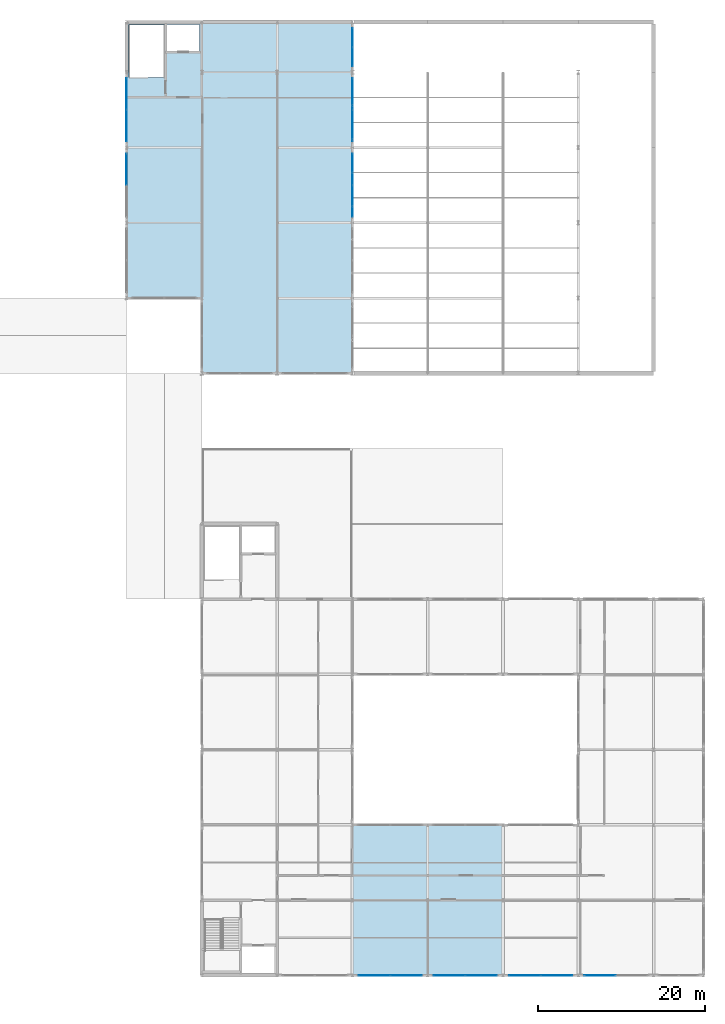
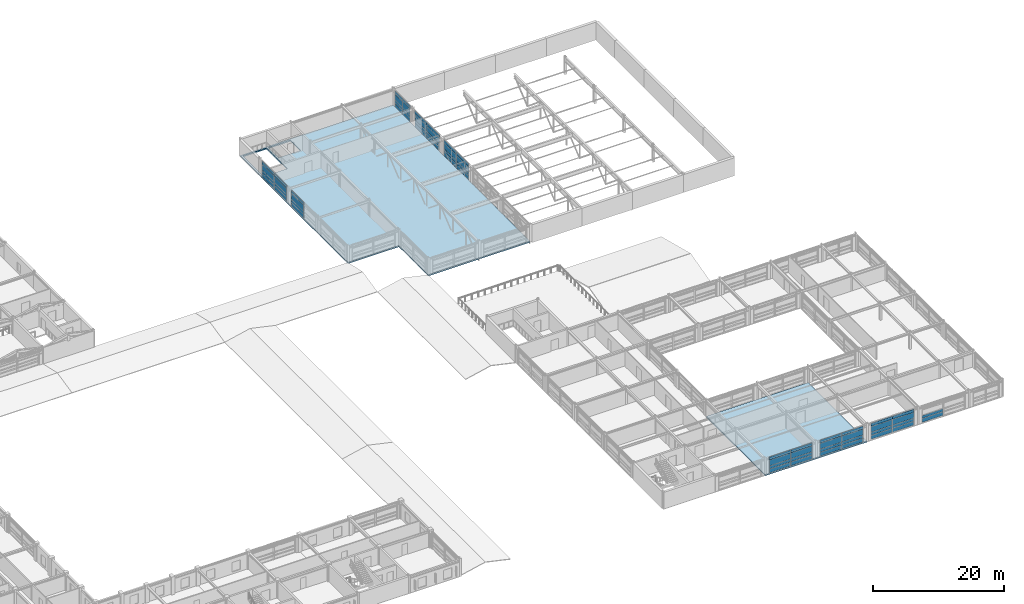
# One storey, part 66 of 91: 62 plates, 2 slabs, 9 elements without a shape of their own.
"""IFC4 building model written with IfcOpenShell, lengths in metres."""

from ifc_helpers import new_model, si_unit, direction, frame, origin, origin_2d, place, context, subcontext, project, spatial, polyline, rectangle, outline, extrude, material, layer, layer_set, type_object, element, aggregate, save


model = new_model("IFC4")

# Units and contexts
model_context = context("Model", 3, precision=1e-05, world=origin(), true_north=direction((0.0, 1.0)))
body_context = subcontext(model_context, "Body", "Model", "MODEL_VIEW")
ifc_project = project(units=[si_unit("LENGTHUNIT", "METRE"), si_unit("AREAUNIT", "SQUARE_METRE"), si_unit("VOLUMEUNIT", "CUBIC_METRE"), si_unit("PLANEANGLEUNIT", "RADIAN"), si_unit("MASSUNIT", "GRAM", prefix="KILO")], contexts=[model_context])

# Site, building, storey
site_placement = place(None, origin())
site = spatial("IfcSite", under=ifc_project, at=site_placement, CompositionType="ELEMENT")
building_placement = place(site_placement, origin())
building = spatial("IfcBuilding", under=site, at=building_placement, Name="Palais des Congres Ocreval", CompositionType="ELEMENT")
storey_placement = place(building_placement, frame((0.0, 0.0, 8.159912109375)))
storey = spatial("IfcBuildingStorey", under=building, at=storey_placement, Name="L02", CompositionType="ELEMENT", Elevation=8.159912109375)

# Curtain wall, plates
ifc_material_1 = material(Name="Anodized bronze aluminium and low-E glass", Category="glass")
curtain_wall_type_1 = type_object("IfcCurtainWallType", Name="Unitised Curtain Wall 7900x3120", PredefinedType="USERDEFINED", material=ifc_material_1)
curtain_wall_1_placement = place(storey_placement, origin())
curtain_wall_1 = element("IfcCurtainWall", 1, at=curtain_wall_1_placement, inside=storey, type_object=curtain_wall_type_1, Name="Unitised Curtain Wall CW03 L02", ObjectType="UNITISED CURTAIN WALL", PredefinedType="USERDEFINED")
ifc_material_2 = material(Name="Acoustic triple glazing", Category="glass")
ifc_layer_1 = layer(ifc_material_2, 0.0439453125)
ifc_layer_set_1 = layer_set([ifc_layer_1], Name="Acoustic Laminated Glazing Panel 44 (Acoustic triple glazing)")
plate_type_1 = type_object("IfcPlateType", Name="Acoustic Laminated Glazing Panel 44", PredefinedType="CURTAIN_PANEL", material=ifc_layer_set_1)
plate_1_placement = place(storey_placement, frame((141.40625, 0.0, 0.06005859375), z_axis=(0.0, 0.0, 1.0), x_axis=(-1.0, 0.0, 0.0)))
plate_1 = element("IfcPlate", 2, at=plate_1_placement, type_object=plate_type_1, Name="Vision Glazing Panel VP02", PredefinedType="CURTAIN_PANEL", context=body_context, shape_type="SweptSolid", body=[
    extrude(rectangle(XDim=3.737548828125, YDim=0.0439453125, at=origin_2d()), origin(), (0.0, 0.0, 1.0), 0.68994140625),
])
plate_2_placement = place(storey_placement, frame((141.40625, 0.0, 0.81005859375), z_axis=(0.0, 0.0, 1.0), x_axis=(-1.0, 0.0, 0.0)))
plate_2 = element("IfcPlate", 3, at=plate_2_placement, type_object=plate_type_1, Name="Vision Glazing Panel VP02", PredefinedType="CURTAIN_PANEL", context=body_context, shape_type="SweptSolid", body=[
    extrude(rectangle(XDim=3.737548828125, YDim=0.0439453125, at=origin_2d()), origin(), (0.0, 0.0, 1.0), 0.512939453125),
])
plate_3_placement = place(storey_placement, frame((141.40625, 0.0, 1.3828125), z_axis=(0.0, 0.0, 1.0), x_axis=(-1.0, 0.0, 0.0)))
plate_3 = element("IfcPlate", 4, at=plate_3_placement, type_object=plate_type_1, Name="Vision Glazing Panel VP02", PredefinedType="CURTAIN_PANEL", context=body_context, shape_type="SweptSolid", body=[
    extrude(rectangle(XDim=3.737548828125, YDim=0.0439453125, at=origin_2d()), origin(), (0.0, 0.0, 1.0), 1.047119140625),
])
plate_4_placement = place(storey_placement, frame((137.59375, 0.0, 0.06005859375), z_axis=(0.0, 0.0, 1.0), x_axis=(-1.0, 0.0, 0.0)))
plate_4 = element("IfcPlate", 5, at=plate_4_placement, type_object=plate_type_1, Name="Vision Glazing Panel VP02", PredefinedType="CURTAIN_PANEL", context=body_context, shape_type="SweptSolid", body=[
    extrude(rectangle(XDim=3.737548828125, YDim=0.0439453125, at=origin_2d()), origin(), (0.0, 0.0, 1.0), 0.68994140625),
])
plate_5_placement = place(storey_placement, frame((137.59375, 0.0, 0.81005859375), z_axis=(0.0, 0.0, 1.0), x_axis=(-1.0, 0.0, 0.0)))
plate_5 = element("IfcPlate", 6, at=plate_5_placement, type_object=plate_type_1, Name="Vision Glazing Panel VP02", PredefinedType="CURTAIN_PANEL", context=body_context, shape_type="SweptSolid", body=[
    extrude(rectangle(XDim=3.737548828125, YDim=0.0439453125, at=origin_2d()), origin(), (0.0, 0.0, 1.0), 0.512939453125),
])
plate_6_placement = place(storey_placement, frame((137.59375, 0.0, 1.3828125), z_axis=(0.0, 0.0, 1.0), x_axis=(-1.0, 0.0, 0.0)))
plate_6 = element("IfcPlate", 7, at=plate_6_placement, type_object=plate_type_1, Name="Vision Glazing Panel VP02", PredefinedType="CURTAIN_PANEL", context=body_context, shape_type="SweptSolid", body=[
    extrude(rectangle(XDim=3.737548828125, YDim=0.0439453125, at=origin_2d()), origin(), (0.0, 0.0, 1.0), 1.047119140625),
])

curtain_wall_2_placement = place(storey_placement, origin())
curtain_wall_2 = element("IfcCurtainWall", 8, at=curtain_wall_2_placement, inside=storey, type_object=curtain_wall_type_1, Name="Unitised Curtain Wall CW03 L02", ObjectType="UNITISED CURTAIN WALL", PredefinedType="USERDEFINED")
plate_7_placement = place(storey_placement, frame((99.0, 101.59375, 0.06005859375), z_axis=(0.0, 0.0, 1.0), x_axis=(0.0, 1.0, 0.0)))
plate_7 = element("IfcPlate", 9, at=plate_7_placement, type_object=plate_type_1, Name="Vision Glazing Panel VP02", PredefinedType="CURTAIN_PANEL", context=body_context, shape_type="SweptSolid", body=[
    extrude(rectangle(XDim=3.737548828125, YDim=0.0439453125, at=origin_2d()), origin(), (0.0, 0.0, 1.0), 0.68994140625),
])
plate_8_placement = place(storey_placement, frame((99.0, 101.59375, 0.81005859375), z_axis=(0.0, 0.0, 1.0), x_axis=(0.0, 1.0, 0.0)))
plate_8 = element("IfcPlate", 10, at=plate_8_placement, type_object=plate_type_1, Name="Vision Glazing Panel VP02", PredefinedType="CURTAIN_PANEL", context=body_context, shape_type="SweptSolid", body=[
    extrude(rectangle(XDim=3.737548828125, YDim=0.0439453125, at=origin_2d()), origin(), (0.0, 0.0, 1.0), 0.512939453125),
])
plate_9_placement = place(storey_placement, frame((99.0, 101.59375, 1.3828125), z_axis=(0.0, 0.0, 1.0), x_axis=(0.0, 1.0, 0.0)))
plate_9 = element("IfcPlate", 11, at=plate_9_placement, type_object=plate_type_1, Name="Vision Glazing Panel VP02", PredefinedType="CURTAIN_PANEL", context=body_context, shape_type="SweptSolid", body=[
    extrude(rectangle(XDim=3.737548828125, YDim=0.0439453125, at=origin_2d()), origin(), (0.0, 0.0, 1.0), 1.047119140625),
])
plate_10_placement = place(storey_placement, frame((99.0, 105.40625, 0.06005859375), z_axis=(0.0, 0.0, 1.0), x_axis=(0.0, 1.0, 0.0)))
plate_10 = element("IfcPlate", 12, at=plate_10_placement, type_object=plate_type_1, Name="Vision Glazing Panel VP02", PredefinedType="CURTAIN_PANEL", context=body_context, shape_type="SweptSolid", body=[
    extrude(rectangle(XDim=3.737548828125, YDim=0.0439453125, at=origin_2d()), origin(), (0.0, 0.0, 1.0), 0.68994140625),
])
plate_11_placement = place(storey_placement, frame((99.0, 105.40625, 0.81005859375), z_axis=(0.0, 0.0, 1.0), x_axis=(0.0, 1.0, 0.0)))
plate_11 = element("IfcPlate", 13, at=plate_11_placement, type_object=plate_type_1, Name="Vision Glazing Panel VP02", PredefinedType="CURTAIN_PANEL", context=body_context, shape_type="SweptSolid", body=[
    extrude(rectangle(XDim=3.737548828125, YDim=0.0439453125, at=origin_2d()), origin(), (0.0, 0.0, 1.0), 0.512939453125),
])
plate_12_placement = place(storey_placement, frame((99.0, 105.40625, 1.3828125), z_axis=(0.0, 0.0, 1.0), x_axis=(0.0, 1.0, 0.0)))
plate_12 = element("IfcPlate", 14, at=plate_12_placement, type_object=plate_type_1, Name="Vision Glazing Panel VP02", PredefinedType="CURTAIN_PANEL", context=body_context, shape_type="SweptSolid", body=[
    extrude(rectangle(XDim=3.737548828125, YDim=0.0439453125, at=origin_2d()), origin(), (0.0, 0.0, 1.0), 1.047119140625),
])

curtain_wall_3_placement = place(storey_placement, origin())
curtain_wall_3 = element("IfcCurtainWall", 15, at=curtain_wall_3_placement, inside=storey, type_object=curtain_wall_type_1, Name="Unitised Curtain Wall CW03 L02", ObjectType="UNITISED CURTAIN WALL", PredefinedType="USERDEFINED")
plate_13_placement = place(storey_placement, frame((126.0, 96.40625, 0.06005859375), z_axis=(0.0, 0.0, 1.0), x_axis=(0.0, -1.0, 0.0)))
plate_13 = element("IfcPlate", 16, at=plate_13_placement, type_object=plate_type_1, Name="Vision Glazing Panel VP02", PredefinedType="CURTAIN_PANEL", context=body_context, shape_type="SweptSolid", body=[
    extrude(rectangle(XDim=3.737548828125, YDim=0.0439453125, at=origin_2d()), origin(), (0.0, 0.0, 1.0), 0.68994140625),
])
plate_14_placement = place(storey_placement, frame((126.0, 96.40625, 0.81005859375), z_axis=(0.0, 0.0, 1.0), x_axis=(0.0, -1.0, 0.0)))
plate_14 = element("IfcPlate", 17, at=plate_14_placement, type_object=plate_type_1, Name="Vision Glazing Panel VP02", PredefinedType="CURTAIN_PANEL", context=body_context, shape_type="SweptSolid", body=[
    extrude(rectangle(XDim=3.737548828125, YDim=0.0439453125, at=origin_2d()), origin(), (0.0, 0.0, 1.0), 0.512939453125),
])
plate_15_placement = place(storey_placement, frame((126.0, 96.40625, 1.3828125), z_axis=(0.0, 0.0, 1.0), x_axis=(0.0, -1.0, 0.0)))
plate_15 = element("IfcPlate", 18, at=plate_15_placement, type_object=plate_type_1, Name="Vision Glazing Panel VP02", PredefinedType="CURTAIN_PANEL", context=body_context, shape_type="SweptSolid", body=[
    extrude(rectangle(XDim=3.737548828125, YDim=0.0439453125, at=origin_2d()), origin(), (0.0, 0.0, 1.0), 1.047119140625),
])
plate_16_placement = place(storey_placement, frame((126.0, 92.59375, 0.06005859375), z_axis=(0.0, 0.0, 1.0), x_axis=(0.0, -1.0, 0.0)))
plate_16 = element("IfcPlate", 19, at=plate_16_placement, type_object=plate_type_1, Name="Vision Glazing Panel VP02", PredefinedType="CURTAIN_PANEL", context=body_context, shape_type="SweptSolid", body=[
    extrude(rectangle(XDim=3.737548828125, YDim=0.0439453125, at=origin_2d()), origin(), (0.0, 0.0, 1.0), 0.68994140625),
])
plate_17_placement = place(storey_placement, frame((126.0, 92.59375, 0.81005859375), z_axis=(0.0, 0.0, 1.0), x_axis=(0.0, -1.0, 0.0)))
plate_17 = element("IfcPlate", 20, at=plate_17_placement, type_object=plate_type_1, Name="Vision Glazing Panel VP02", PredefinedType="CURTAIN_PANEL", context=body_context, shape_type="SweptSolid", body=[
    extrude(rectangle(XDim=3.737548828125, YDim=0.0439453125, at=origin_2d()), origin(), (0.0, 0.0, 1.0), 0.512939453125),
])
plate_18_placement = place(storey_placement, frame((126.0, 92.59375, 1.3828125), z_axis=(0.0, 0.0, 1.0), x_axis=(0.0, -1.0, 0.0)))
plate_18 = element("IfcPlate", 21, at=plate_18_placement, type_object=plate_type_1, Name="Vision Glazing Panel VP02", PredefinedType="CURTAIN_PANEL", context=body_context, shape_type="SweptSolid", body=[
    extrude(rectangle(XDim=3.737548828125, YDim=0.0439453125, at=origin_2d()), origin(), (0.0, 0.0, 1.0), 1.047119140625),
])

# Plate
ifc_material_3 = material(Name="Anodized bronze aluminium", Category="aluminium")
ifc_layer_2 = layer(ifc_material_3, 0.06005859375)
ifc_layer_set_2 = layer_set([ifc_layer_2], Name="Anodized Bronze Spandrel Cassette 60 (Anodized bronze aluminium)")
plate_type_2 = type_object("IfcPlateType", Name="Anodized Bronze Spandrel Cassette 60", PredefinedType="SHEET", material=ifc_layer_set_2)
plate_19_placement = place(storey_placement, frame((141.40625, 0.0, 2.489990234375), z_axis=(0.0, 0.0, 1.0), x_axis=(-1.0, 0.0, 0.0)))
plate_19 = element("IfcPlate", 22, at=plate_19_placement, type_object=plate_type_2, Name="Spandrel Sheet SPN1", PredefinedType="SHEET", context=body_context, shape_type="SweptSolid", body=[
    extrude(rectangle(XDim=3.737548828125, YDim=0.06005859375, at=origin_2d()), origin(), (0.0, 0.0, 1.0), 0.56005859375),
])

plate_20_placement = place(storey_placement, frame((137.59375, 0.0, 2.489990234375), z_axis=(0.0, 0.0, 1.0), x_axis=(-1.0, 0.0, 0.0)))
plate_20 = element("IfcPlate", 23, at=plate_20_placement, type_object=plate_type_2, Name="Spandrel Sheet SPN1", PredefinedType="SHEET", context=body_context, shape_type="SweptSolid", body=[
    extrude(rectangle(XDim=3.737548828125, YDim=0.06005859375, at=origin_2d()), origin(), (0.0, 0.0, 1.0), 0.56005859375),
])

aggregate(curtain_wall_1, [plate_1, plate_2, plate_3, plate_19, plate_4, plate_5, plate_6, plate_20])

# Curtain wall, plate
curtain_wall_4_placement = place(storey_placement, origin())
curtain_wall_4 = element("IfcCurtainWall", 24, at=curtain_wall_4_placement, inside=storey, type_object=curtain_wall_type_1, Name="Unitised Curtain Wall CW03 L02", ObjectType="UNITISED CURTAIN WALL", PredefinedType="USERDEFINED")
plate_21_placement = place(storey_placement, frame((99.0, 96.40625, 2.489990234375), z_axis=(0.0, 0.0, 1.0), x_axis=(0.0, 1.0, 0.0)))
plate_21 = element("IfcPlate", 25, at=plate_21_placement, type_object=plate_type_2, Name="Spandrel Sheet SPN1", PredefinedType="SHEET", context=body_context, shape_type="SweptSolid", body=[
    extrude(rectangle(XDim=3.737548828125, YDim=0.06005859375, at=origin_2d()), origin(), (0.0, 0.0, 1.0), 0.56005859375),
])

# Curtain wall, plates
curtain_wall_type_2 = type_object("IfcCurtainWallType", Name="Unitised Curtain Wall 4900x4060", PredefinedType="USERDEFINED", material=ifc_material_1)
curtain_wall_5_placement = place(storey_placement, origin())
curtain_wall_5 = element("IfcCurtainWall", 26, at=curtain_wall_5_placement, inside=storey, type_object=curtain_wall_type_2, Name="Unitised Curtain Wall CW07 L02", ObjectType="UNITISED CURTAIN WALL", PredefinedType="USERDEFINED")
plate_22_placement = place(storey_placement, frame((126.0, 112.15625, 2.489990234375), z_axis=(0.0, 0.0, 1.0), x_axis=(0.0, -1.0, 0.0)))
plate_22 = element("IfcPlate", 27, at=plate_22_placement, type_object=plate_type_2, Name="Spandrel Sheet SPN1", PredefinedType="SHEET", context=body_context, shape_type="SweptSolid", body=[
    extrude(rectangle(XDim=2.237548828125, YDim=0.06005859375, at=origin_2d()), origin(), (0.0, 0.0, 1.0), 0.56005859375),
])
plate_23_placement = place(storey_placement, frame((126.0, 109.84375, 2.489990234375), z_axis=(0.0, 0.0, 1.0), x_axis=(0.0, -1.0, 0.0)))
plate_23 = element("IfcPlate", 28, at=plate_23_placement, type_object=plate_type_2, Name="Spandrel Sheet SPN1", PredefinedType="SHEET", context=body_context, shape_type="SweptSolid", body=[
    extrude(rectangle(XDim=2.237548828125, YDim=0.06005859375, at=origin_2d()), origin(), (0.0, 0.0, 1.0), 0.56005859375),
])

# Plate
plate_24_placement = place(storey_placement, frame((126.0, 96.40625, 2.489990234375), z_axis=(0.0, 0.0, 1.0), x_axis=(0.0, -1.0, 0.0)))
plate_24 = element("IfcPlate", 29, at=plate_24_placement, type_object=plate_type_2, Name="Spandrel Sheet SPN1", PredefinedType="SHEET", context=body_context, shape_type="SweptSolid", body=[
    extrude(rectangle(XDim=3.737548828125, YDim=0.06005859375, at=origin_2d()), origin(), (0.0, 0.0, 1.0), 0.56005859375),
])

plate_25_placement = place(storey_placement, frame((126.0, 92.59375, 2.489990234375), z_axis=(0.0, 0.0, 1.0), x_axis=(0.0, -1.0, 0.0)))
plate_25 = element("IfcPlate", 30, at=plate_25_placement, type_object=plate_type_2, Name="Spandrel Sheet SPN1", PredefinedType="SHEET", context=body_context, shape_type="SweptSolid", body=[
    extrude(rectangle(XDim=3.737548828125, YDim=0.06005859375, at=origin_2d()), origin(), (0.0, 0.0, 1.0), 0.56005859375),
])

aggregate(curtain_wall_3, [plate_13, plate_14, plate_15, plate_24, plate_16, plate_17, plate_18, plate_25])

# Curtain wall, plates
curtain_wall_6_placement = place(storey_placement, origin())
curtain_wall_6 = element("IfcCurtainWall", 31, at=curtain_wall_6_placement, inside=storey, type_object=curtain_wall_type_1, Name="Unitised Curtain Wall CW03 L02", ObjectType="UNITISED CURTAIN WALL", PredefinedType="USERDEFINED")
ifc_material_4 = material(Name="Low-E solar-control double glazing", Category="glass")
ifc_layer_3 = layer(ifc_material_4, 0.031982421875)
ifc_layer_set_3 = layer_set([ifc_layer_3], Name="Galleria Clear Vision Panel 32 (Low-E solar-control double glazing)")
plate_type_3 = type_object("IfcPlateType", Name="Galleria Clear Vision Panel 32", PredefinedType="CURTAIN_PANEL", material=ifc_layer_set_3)
plate_26_placement = place(storey_placement, frame((155.59375, 0.0, 0.06005859375), z_axis=(0.0, 0.0, 1.0), x_axis=(-1.0, 0.0, 0.0)))
plate_26 = element("IfcPlate", 32, at=plate_26_placement, type_object=plate_type_3, Name="Vision Glazing Panel VP03", PredefinedType="CURTAIN_PANEL", context=body_context, shape_type="SweptSolid", body=[
    extrude(rectangle(XDim=3.737548828125, YDim=0.031982421875, at=origin_2d()), origin(), (0.0, 0.0, 1.0), 0.68994140625),
])
plate_27_placement = place(storey_placement, frame((155.59375, 0.0, 0.81005859375), z_axis=(0.0, 0.0, 1.0), x_axis=(-1.0, 0.0, 0.0)))
plate_27 = element("IfcPlate", 33, at=plate_27_placement, type_object=plate_type_3, Name="Vision Glazing Panel VP03", PredefinedType="CURTAIN_PANEL", context=body_context, shape_type="SweptSolid", body=[
    extrude(rectangle(XDim=3.737548828125, YDim=0.031982421875, at=origin_2d()), origin(), (0.0, 0.0, 1.0), 0.512939453125),
])
aggregate(curtain_wall_6, [plate_26, plate_27])

curtain_wall_7_placement = place(storey_placement, origin())
curtain_wall_7 = element("IfcCurtainWall", 34, at=curtain_wall_7_placement, inside=storey, type_object=curtain_wall_type_1, Name="Unitised Curtain Wall CW03 L02", ObjectType="UNITISED CURTAIN WALL", PredefinedType="USERDEFINED")
plate_28_placement = place(storey_placement, frame((132.40625, 0.0, 0.06005859375), z_axis=(0.0, 0.0, 1.0), x_axis=(-1.0, 0.0, 0.0)))
plate_28 = element("IfcPlate", 35, at=plate_28_placement, type_object=plate_type_3, Name="Vision Glazing Panel VP03", PredefinedType="CURTAIN_PANEL", context=body_context, shape_type="SweptSolid", body=[
    extrude(rectangle(XDim=3.737548828125, YDim=0.031982421875, at=origin_2d()), origin(), (0.0, 0.0, 1.0), 0.68994140625),
])
plate_29_placement = place(storey_placement, frame((132.40625, 0.0, 0.81005859375), z_axis=(0.0, 0.0, 1.0), x_axis=(-1.0, 0.0, 0.0)))
plate_29 = element("IfcPlate", 36, at=plate_29_placement, type_object=plate_type_3, Name="Vision Glazing Panel VP03", PredefinedType="CURTAIN_PANEL", context=body_context, shape_type="SweptSolid", body=[
    extrude(rectangle(XDim=3.737548828125, YDim=0.031982421875, at=origin_2d()), origin(), (0.0, 0.0, 1.0), 0.512939453125),
])
plate_30_placement = place(storey_placement, frame((132.40625, 0.0, 1.3828125), z_axis=(0.0, 0.0, 1.0), x_axis=(-1.0, 0.0, 0.0)))
plate_30 = element("IfcPlate", 37, at=plate_30_placement, type_object=plate_type_3, Name="Vision Glazing Panel VP03", PredefinedType="CURTAIN_PANEL", context=body_context, shape_type="SweptSolid", body=[
    extrude(rectangle(XDim=3.737548828125, YDim=0.031982421875, at=origin_2d()), origin(), (0.0, 0.0, 1.0), 1.047119140625),
])
plate_31_placement = place(storey_placement, frame((128.59375, 0.0, 0.06005859375), z_axis=(0.0, 0.0, 1.0), x_axis=(-1.0, 0.0, 0.0)))
plate_31 = element("IfcPlate", 38, at=plate_31_placement, type_object=plate_type_3, Name="Vision Glazing Panel VP03", PredefinedType="CURTAIN_PANEL", context=body_context, shape_type="SweptSolid", body=[
    extrude(rectangle(XDim=3.737548828125, YDim=0.031982421875, at=origin_2d()), origin(), (0.0, 0.0, 1.0), 0.68994140625),
])
plate_32_placement = place(storey_placement, frame((128.59375, 0.0, 0.81005859375), z_axis=(0.0, 0.0, 1.0), x_axis=(-1.0, 0.0, 0.0)))
plate_32 = element("IfcPlate", 39, at=plate_32_placement, type_object=plate_type_3, Name="Vision Glazing Panel VP03", PredefinedType="CURTAIN_PANEL", context=body_context, shape_type="SweptSolid", body=[
    extrude(rectangle(XDim=3.737548828125, YDim=0.031982421875, at=origin_2d()), origin(), (0.0, 0.0, 1.0), 0.512939453125),
])
plate_33_placement = place(storey_placement, frame((128.59375, 0.0, 1.3828125), z_axis=(0.0, 0.0, 1.0), x_axis=(-1.0, 0.0, 0.0)))
plate_33 = element("IfcPlate", 40, at=plate_33_placement, type_object=plate_type_3, Name="Vision Glazing Panel VP03", PredefinedType="CURTAIN_PANEL", context=body_context, shape_type="SweptSolid", body=[
    extrude(rectangle(XDim=3.737548828125, YDim=0.031982421875, at=origin_2d()), origin(), (0.0, 0.0, 1.0), 1.047119140625),
])

# Plate
plate_34_placement = place(storey_placement, frame((126.0, 112.15625, 0.06005859375), z_axis=(0.0, 0.0, 1.0), x_axis=(0.0, -1.0, 0.0)))
plate_34 = element("IfcPlate", 41, at=plate_34_placement, type_object=plate_type_3, Name="Vision Glazing Panel VP03", PredefinedType="CURTAIN_PANEL", context=body_context, shape_type="SweptSolid", body=[
    extrude(rectangle(XDim=2.237548828125, YDim=0.031982421875, at=origin_2d()), origin(), (0.0, 0.0, 1.0), 0.68994140625),
])

plate_35_placement = place(storey_placement, frame((126.0, 112.15625, 0.81005859375), z_axis=(0.0, 0.0, 1.0), x_axis=(0.0, -1.0, 0.0)))
plate_35 = element("IfcPlate", 42, at=plate_35_placement, type_object=plate_type_3, Name="Vision Glazing Panel VP03", PredefinedType="CURTAIN_PANEL", context=body_context, shape_type="SweptSolid", body=[
    extrude(rectangle(XDim=2.237548828125, YDim=0.031982421875, at=origin_2d()), origin(), (0.0, 0.0, 1.0), 0.512939453125),
])

plate_36_placement = place(storey_placement, frame((126.0, 112.15625, 1.3828125), z_axis=(0.0, 0.0, 1.0), x_axis=(0.0, -1.0, 0.0)))
plate_36 = element("IfcPlate", 43, at=plate_36_placement, type_object=plate_type_3, Name="Vision Glazing Panel VP03", PredefinedType="CURTAIN_PANEL", context=body_context, shape_type="SweptSolid", body=[
    extrude(rectangle(XDim=2.237548828125, YDim=0.031982421875, at=origin_2d()), origin(), (0.0, 0.0, 1.0), 1.047119140625),
])

plate_37_placement = place(storey_placement, frame((126.0, 109.84375, 0.06005859375), z_axis=(0.0, 0.0, 1.0), x_axis=(0.0, -1.0, 0.0)))
plate_37 = element("IfcPlate", 44, at=plate_37_placement, type_object=plate_type_3, Name="Vision Glazing Panel VP03", PredefinedType="CURTAIN_PANEL", context=body_context, shape_type="SweptSolid", body=[
    extrude(rectangle(XDim=2.237548828125, YDim=0.031982421875, at=origin_2d()), origin(), (0.0, 0.0, 1.0), 0.68994140625),
])

plate_38_placement = place(storey_placement, frame((126.0, 109.84375, 0.81005859375), z_axis=(0.0, 0.0, 1.0), x_axis=(0.0, -1.0, 0.0)))
plate_38 = element("IfcPlate", 45, at=plate_38_placement, type_object=plate_type_3, Name="Vision Glazing Panel VP03", PredefinedType="CURTAIN_PANEL", context=body_context, shape_type="SweptSolid", body=[
    extrude(rectangle(XDim=2.237548828125, YDim=0.031982421875, at=origin_2d()), origin(), (0.0, 0.0, 1.0), 0.512939453125),
])

plate_39_placement = place(storey_placement, frame((126.0, 109.84375, 1.3828125), z_axis=(0.0, 0.0, 1.0), x_axis=(0.0, -1.0, 0.0)))
plate_39 = element("IfcPlate", 46, at=plate_39_placement, type_object=plate_type_3, Name="Vision Glazing Panel VP03", PredefinedType="CURTAIN_PANEL", context=body_context, shape_type="SweptSolid", body=[
    extrude(rectangle(XDim=2.237548828125, YDim=0.031982421875, at=origin_2d()), origin(), (0.0, 0.0, 1.0), 1.047119140625),
])

aggregate(curtain_wall_5, [plate_34, plate_35, plate_36, plate_22, plate_37, plate_38, plate_39, plate_23])

# Curtain wall, plates
curtain_wall_8_placement = place(storey_placement, origin())
curtain_wall_8 = element("IfcCurtainWall", 47, at=curtain_wall_8_placement, inside=storey, type_object=curtain_wall_type_1, Name="Unitised Curtain Wall CW03 L02", ObjectType="UNITISED CURTAIN WALL", PredefinedType="USERDEFINED")
ifc_layer_4 = layer(ifc_material_4, 0.035888671875)
ifc_layer_set_4 = layer_set([ifc_layer_4], Name="Low-E Vision Glazing Panel 36 (Low-E solar-control double glazing)")
plate_type_4 = type_object("IfcPlateType", Name="Low-E Vision Glazing Panel 36", PredefinedType="CURTAIN_PANEL", material=ifc_layer_set_4)
plate_40_placement = place(storey_placement, frame((150.40625, 0.0, 0.06005859375), z_axis=(0.0, 0.0, 1.0), x_axis=(-1.0, 0.0, 0.0)))
plate_40 = element("IfcPlate", 48, at=plate_40_placement, type_object=plate_type_4, Name="Vision Glazing Panel VP01", PredefinedType="CURTAIN_PANEL", context=body_context, shape_type="SweptSolid", body=[
    extrude(rectangle(XDim=3.737548828125, YDim=0.035888671875, at=origin_2d()), origin(), (0.0, 0.0, 1.0), 0.68994140625),
])
plate_41_placement = place(storey_placement, frame((150.40625, 0.0, 0.81005859375), z_axis=(0.0, 0.0, 1.0), x_axis=(-1.0, 0.0, 0.0)))
plate_41 = element("IfcPlate", 49, at=plate_41_placement, type_object=plate_type_4, Name="Vision Glazing Panel VP01", PredefinedType="CURTAIN_PANEL", context=body_context, shape_type="SweptSolid", body=[
    extrude(rectangle(XDim=3.737548828125, YDim=0.035888671875, at=origin_2d()), origin(), (0.0, 0.0, 1.0), 0.512939453125),
])
plate_42_placement = place(storey_placement, frame((150.40625, 0.0, 1.3828125), z_axis=(0.0, 0.0, 1.0), x_axis=(-1.0, 0.0, 0.0)))
plate_42 = element("IfcPlate", 50, at=plate_42_placement, type_object=plate_type_4, Name="Vision Glazing Panel VP01", PredefinedType="CURTAIN_PANEL", context=body_context, shape_type="SweptSolid", body=[
    extrude(rectangle(XDim=3.737548828125, YDim=0.035888671875, at=origin_2d()), origin(), (0.0, 0.0, 1.0), 1.047119140625),
])
plate_43_placement = place(storey_placement, frame((146.59375, 0.0, 0.06005859375), z_axis=(0.0, 0.0, 1.0), x_axis=(-1.0, 0.0, 0.0)))
plate_43 = element("IfcPlate", 51, at=plate_43_placement, type_object=plate_type_4, Name="Vision Glazing Panel VP01", PredefinedType="CURTAIN_PANEL", context=body_context, shape_type="SweptSolid", body=[
    extrude(rectangle(XDim=3.737548828125, YDim=0.035888671875, at=origin_2d()), origin(), (0.0, 0.0, 1.0), 0.68994140625),
])
plate_44_placement = place(storey_placement, frame((146.59375, 0.0, 0.81005859375), z_axis=(0.0, 0.0, 1.0), x_axis=(-1.0, 0.0, 0.0)))
plate_44 = element("IfcPlate", 52, at=plate_44_placement, type_object=plate_type_4, Name="Vision Glazing Panel VP01", PredefinedType="CURTAIN_PANEL", context=body_context, shape_type="SweptSolid", body=[
    extrude(rectangle(XDim=3.737548828125, YDim=0.035888671875, at=origin_2d()), origin(), (0.0, 0.0, 1.0), 0.512939453125),
])
plate_45_placement = place(storey_placement, frame((146.59375, 0.0, 1.3828125), z_axis=(0.0, 0.0, 1.0), x_axis=(-1.0, 0.0, 0.0)))
plate_45 = element("IfcPlate", 53, at=plate_45_placement, type_object=plate_type_4, Name="Vision Glazing Panel VP01", PredefinedType="CURTAIN_PANEL", context=body_context, shape_type="SweptSolid", body=[
    extrude(rectangle(XDim=3.737548828125, YDim=0.035888671875, at=origin_2d()), origin(), (0.0, 0.0, 1.0), 1.047119140625),
])

# Plate
plate_46_placement = place(storey_placement, frame((99.0, 96.40625, 0.06005859375), z_axis=(0.0, 0.0, 1.0), x_axis=(0.0, 1.0, 0.0)))
plate_46 = element("IfcPlate", 54, at=plate_46_placement, type_object=plate_type_4, Name="Vision Glazing Panel VP01", PredefinedType="CURTAIN_PANEL", context=body_context, shape_type="SweptSolid", body=[
    extrude(rectangle(XDim=3.737548828125, YDim=0.035888671875, at=origin_2d()), origin(), (0.0, 0.0, 1.0), 0.68994140625),
])

plate_47_placement = place(storey_placement, frame((99.0, 96.40625, 0.81005859375), z_axis=(0.0, 0.0, 1.0), x_axis=(0.0, 1.0, 0.0)))
plate_47 = element("IfcPlate", 55, at=plate_47_placement, type_object=plate_type_4, Name="Vision Glazing Panel VP01", PredefinedType="CURTAIN_PANEL", context=body_context, shape_type="SweptSolid", body=[
    extrude(rectangle(XDim=3.737548828125, YDim=0.035888671875, at=origin_2d()), origin(), (0.0, 0.0, 1.0), 0.512939453125),
])

plate_48_placement = place(storey_placement, frame((99.0, 96.40625, 1.3828125), z_axis=(0.0, 0.0, 1.0), x_axis=(0.0, 1.0, 0.0)))
plate_48 = element("IfcPlate", 56, at=plate_48_placement, type_object=plate_type_4, Name="Vision Glazing Panel VP01", PredefinedType="CURTAIN_PANEL", context=body_context, shape_type="SweptSolid", body=[
    extrude(rectangle(XDim=3.737548828125, YDim=0.035888671875, at=origin_2d()), origin(), (0.0, 0.0, 1.0), 1.047119140625),
])

aggregate(curtain_wall_4, [plate_46, plate_47, plate_48, plate_21])

# Curtain wall, plates
curtain_wall_9_placement = place(storey_placement, origin())
curtain_wall_9 = element("IfcCurtainWall", 57, at=curtain_wall_9_placement, inside=storey, type_object=curtain_wall_type_1, Name="Unitised Curtain Wall CW03 L02", ObjectType="UNITISED CURTAIN WALL", PredefinedType="USERDEFINED")
plate_49_placement = place(storey_placement, frame((126.0, 105.40625, 0.06005859375), z_axis=(0.0, 0.0, 1.0), x_axis=(0.0, -1.0, 0.0)))
plate_49 = element("IfcPlate", 58, at=plate_49_placement, type_object=plate_type_4, Name="Vision Glazing Panel VP01", PredefinedType="CURTAIN_PANEL", context=body_context, shape_type="SweptSolid", body=[
    extrude(rectangle(XDim=3.737548828125, YDim=0.035888671875, at=origin_2d()), origin(), (0.0, 0.0, 1.0), 0.68994140625),
])
plate_50_placement = place(storey_placement, frame((126.0, 105.40625, 0.81005859375), z_axis=(0.0, 0.0, 1.0), x_axis=(0.0, -1.0, 0.0)))
plate_50 = element("IfcPlate", 59, at=plate_50_placement, type_object=plate_type_4, Name="Vision Glazing Panel VP01", PredefinedType="CURTAIN_PANEL", context=body_context, shape_type="SweptSolid", body=[
    extrude(rectangle(XDim=3.737548828125, YDim=0.035888671875, at=origin_2d()), origin(), (0.0, 0.0, 1.0), 0.512939453125),
])
plate_51_placement = place(storey_placement, frame((126.0, 105.40625, 1.3828125), z_axis=(0.0, 0.0, 1.0), x_axis=(0.0, -1.0, 0.0)))
plate_51 = element("IfcPlate", 60, at=plate_51_placement, type_object=plate_type_4, Name="Vision Glazing Panel VP01", PredefinedType="CURTAIN_PANEL", context=body_context, shape_type="SweptSolid", body=[
    extrude(rectangle(XDim=3.737548828125, YDim=0.035888671875, at=origin_2d()), origin(), (0.0, 0.0, 1.0), 1.047119140625),
])
plate_52_placement = place(storey_placement, frame((126.0, 101.59375, 0.06005859375), z_axis=(0.0, 0.0, 1.0), x_axis=(0.0, -1.0, 0.0)))
plate_52 = element("IfcPlate", 61, at=plate_52_placement, type_object=plate_type_4, Name="Vision Glazing Panel VP01", PredefinedType="CURTAIN_PANEL", context=body_context, shape_type="SweptSolid", body=[
    extrude(rectangle(XDim=3.737548828125, YDim=0.035888671875, at=origin_2d()), origin(), (0.0, 0.0, 1.0), 0.68994140625),
])
plate_53_placement = place(storey_placement, frame((126.0, 101.59375, 0.81005859375), z_axis=(0.0, 0.0, 1.0), x_axis=(0.0, -1.0, 0.0)))
plate_53 = element("IfcPlate", 62, at=plate_53_placement, type_object=plate_type_4, Name="Vision Glazing Panel VP01", PredefinedType="CURTAIN_PANEL", context=body_context, shape_type="SweptSolid", body=[
    extrude(rectangle(XDim=3.737548828125, YDim=0.035888671875, at=origin_2d()), origin(), (0.0, 0.0, 1.0), 0.512939453125),
])
plate_54_placement = place(storey_placement, frame((126.0, 101.59375, 1.3828125), z_axis=(0.0, 0.0, 1.0), x_axis=(0.0, -1.0, 0.0)))
plate_54 = element("IfcPlate", 63, at=plate_54_placement, type_object=plate_type_4, Name="Vision Glazing Panel VP01", PredefinedType="CURTAIN_PANEL", context=body_context, shape_type="SweptSolid", body=[
    extrude(rectangle(XDim=3.737548828125, YDim=0.035888671875, at=origin_2d()), origin(), (0.0, 0.0, 1.0), 1.047119140625),
])

# Plate
ifc_material_5 = material(Name="Terracotta ceramic spandrel", Category="masonry")
ifc_layer_5 = layer(ifc_material_5, 0.080078125)
ifc_layer_set_5 = layer_set([ifc_layer_5], Name="Terracotta Insulated Spandrel Sheet 80 (Terracotta ceramic spandrel)")
plate_type_5 = type_object("IfcPlateType", Name="Terracotta Insulated Spandrel Sheet 80", PredefinedType="SHEET", material=ifc_layer_set_5)
plate_55_placement = place(storey_placement, frame((150.40625, 0.0, 2.489990234375), z_axis=(0.0, 0.0, 1.0), x_axis=(-1.0, 0.0, 0.0)))
plate_55 = element("IfcPlate", 64, at=plate_55_placement, type_object=plate_type_5, Name="Spandrel Sheet SPN2", PredefinedType="SHEET", context=body_context, shape_type="SweptSolid", body=[
    extrude(rectangle(XDim=3.737548828125, YDim=0.080078125, at=origin_2d()), origin(), (0.0, 0.0, 1.0), 0.56005859375),
])

plate_56_placement = place(storey_placement, frame((146.59375, 0.0, 2.489990234375), z_axis=(0.0, 0.0, 1.0), x_axis=(-1.0, 0.0, 0.0)))
plate_56 = element("IfcPlate", 65, at=plate_56_placement, type_object=plate_type_5, Name="Spandrel Sheet SPN2", PredefinedType="SHEET", context=body_context, shape_type="SweptSolid", body=[
    extrude(rectangle(XDim=3.737548828125, YDim=0.080078125, at=origin_2d()), origin(), (0.0, 0.0, 1.0), 0.56005859375),
])

aggregate(curtain_wall_8, [plate_40, plate_41, plate_42, plate_55, plate_43, plate_44, plate_45, plate_56])

plate_57_placement = place(storey_placement, frame((132.40625, 0.0, 2.489990234375), z_axis=(0.0, 0.0, 1.0), x_axis=(-1.0, 0.0, 0.0)))
plate_57 = element("IfcPlate", 66, at=plate_57_placement, type_object=plate_type_5, Name="Spandrel Sheet SPN2", PredefinedType="SHEET", context=body_context, shape_type="SweptSolid", body=[
    extrude(rectangle(XDim=3.737548828125, YDim=0.080078125, at=origin_2d()), origin(), (0.0, 0.0, 1.0), 0.56005859375),
])

plate_58_placement = place(storey_placement, frame((128.59375, 0.0, 2.489990234375), z_axis=(0.0, 0.0, 1.0), x_axis=(-1.0, 0.0, 0.0)))
plate_58 = element("IfcPlate", 67, at=plate_58_placement, type_object=plate_type_5, Name="Spandrel Sheet SPN2", PredefinedType="SHEET", context=body_context, shape_type="SweptSolid", body=[
    extrude(rectangle(XDim=3.737548828125, YDim=0.080078125, at=origin_2d()), origin(), (0.0, 0.0, 1.0), 0.56005859375),
])

aggregate(curtain_wall_7, [plate_28, plate_29, plate_30, plate_57, plate_31, plate_32, plate_33, plate_58])

plate_59_placement = place(storey_placement, frame((99.0, 101.59375, 2.489990234375), z_axis=(0.0, 0.0, 1.0), x_axis=(0.0, 1.0, 0.0)))
plate_59 = element("IfcPlate", 68, at=plate_59_placement, type_object=plate_type_5, Name="Spandrel Sheet SPN2", PredefinedType="SHEET", context=body_context, shape_type="SweptSolid", body=[
    extrude(rectangle(XDim=3.737548828125, YDim=0.080078125, at=origin_2d()), origin(), (0.0, 0.0, 1.0), 0.56005859375),
])

plate_60_placement = place(storey_placement, frame((99.0, 105.40625, 2.489990234375), z_axis=(0.0, 0.0, 1.0), x_axis=(0.0, 1.0, 0.0)))
plate_60 = element("IfcPlate", 69, at=plate_60_placement, type_object=plate_type_5, Name="Spandrel Sheet SPN2", PredefinedType="SHEET", context=body_context, shape_type="SweptSolid", body=[
    extrude(rectangle(XDim=3.737548828125, YDim=0.080078125, at=origin_2d()), origin(), (0.0, 0.0, 1.0), 0.56005859375),
])

aggregate(curtain_wall_2, [plate_7, plate_8, plate_9, plate_59, plate_10, plate_11, plate_12, plate_60])

plate_61_placement = place(storey_placement, frame((126.0, 105.40625, 2.489990234375), z_axis=(0.0, 0.0, 1.0), x_axis=(0.0, -1.0, 0.0)))
plate_61 = element("IfcPlate", 70, at=plate_61_placement, type_object=plate_type_5, Name="Spandrel Sheet SPN2", PredefinedType="SHEET", context=body_context, shape_type="SweptSolid", body=[
    extrude(rectangle(XDim=3.737548828125, YDim=0.080078125, at=origin_2d()), origin(), (0.0, 0.0, 1.0), 0.56005859375),
])

plate_62_placement = place(storey_placement, frame((126.0, 101.59375, 2.489990234375), z_axis=(0.0, 0.0, 1.0), x_axis=(0.0, -1.0, 0.0)))
plate_62 = element("IfcPlate", 71, at=plate_62_placement, type_object=plate_type_5, Name="Spandrel Sheet SPN2", PredefinedType="SHEET", context=body_context, shape_type="SweptSolid", body=[
    extrude(rectangle(XDim=3.737548828125, YDim=0.080078125, at=origin_2d()), origin(), (0.0, 0.0, 1.0), 0.56005859375),
])

aggregate(curtain_wall_9, [plate_49, plate_50, plate_51, plate_61, plate_52, plate_53, plate_54, plate_62])

# Slabs
ifc_material_6 = material(Name="Concrete C40/50", Category="concrete")
ifc_layer_6 = layer(ifc_material_6, 0.239990234375)
ifc_layer_set_6 = layer_set([ifc_layer_6], Name="Transfer and Crown Floor Slab 240 Concrete C40/50")
slab_type = type_object("IfcSlabType", Name="Transfer and Crown Floor Slab 240 Concrete C40/50", PredefinedType="FLOOR", material=ifc_layer_set_6)
slab_1_placement = place(storey_placement, frame((0.0, 0.0, -0.239990234375)))
element("IfcSlab", 72, at=slab_1_placement, inside=storey, type_object=slab_type, Name="Floor Slab SL10 L02 V2-1", PredefinedType="FLOOR", context=body_context, shape_type="SweptSolid", body=[
    extrude(outline(polyline([(108.0, 72.0), (108.0, 81.0), (99.0, 81.0), (99.0, 114.0), (108.0, 114.0), (126.0, 114.0), (126.0, 72.0), (108.0, 72.0)]), holes=[polyline([(103.5, 113.699951171875), (99.300048828125, 113.699951171875), (99.300048828125, 107.35009765625), (103.5, 107.35009765625), (103.5, 113.699951171875)]), polyline([(107.699951171875, 113.699951171875), (103.800048828125, 113.699951171875), (103.800048828125, 110.550048828125), (107.699951171875, 110.550048828125), (107.699951171875, 113.699951171875)])]), origin(), (0.0, 0.0, 1.0), 0.239990234375),
])
slab_2_placement = place(storey_placement, frame((0.0, 0.0, -0.239990234375)))
element("IfcSlab", 73, at=slab_2_placement, inside=storey, type_object=slab_type, Name="Floor Slab SL10 L02 V3-3", PredefinedType="FLOOR", context=body_context, shape_type="SweptSolid", body=[
    extrude(outline(polyline([(126.0, 0.0), (126.0, 18.0), (144.0, 18.0), (144.0, 0.0), (126.0, 0.0)])), origin(), (0.0, 0.0, 1.0), 0.239990234375),
])

save(model, "model.ifc")
